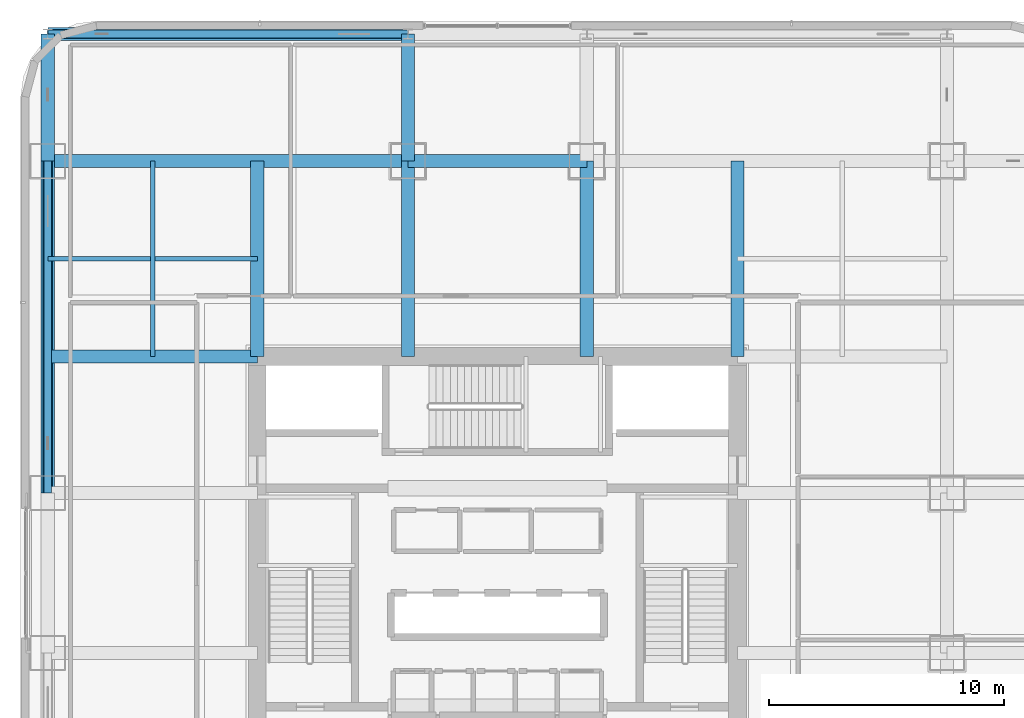
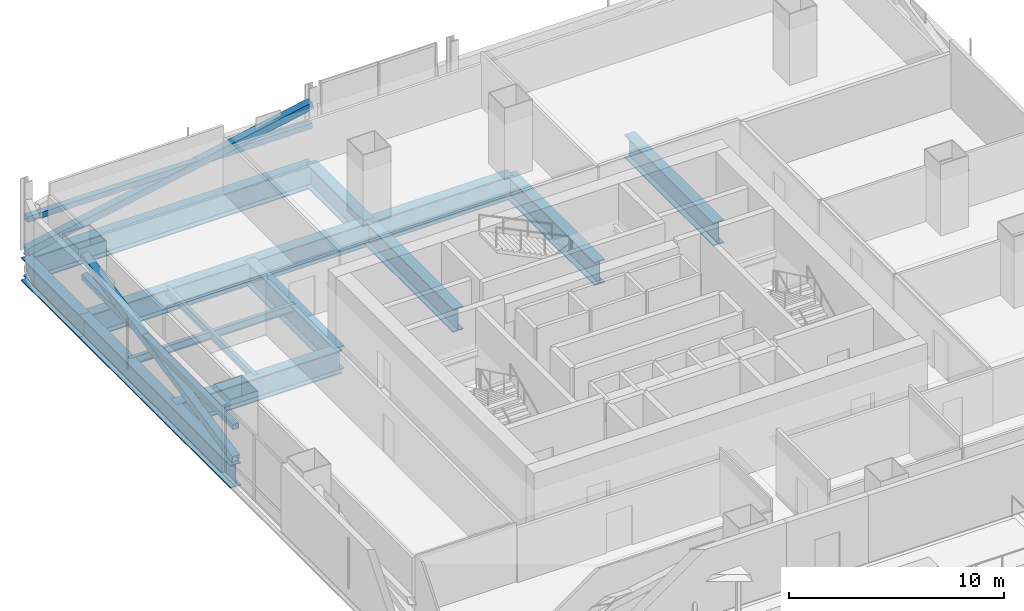
# One storey, part 5 of 28: 13 beams, 4 members.
"""IFC4 building model written with IfcOpenShell, lengths in metres."""

from ifc_helpers import new_model, si_unit, direction, frame, origin, origin_2d, place, context, subcontext, project, spatial, hollow_rectangle, i_section, extrude, material, material_profile, profile_set, type_object, element, save


model = new_model("IFC4")

# Units and contexts
model_context = context("Model", 3, precision=1e-05, world=origin(), true_north=direction((0.0, 1.0)))
body_context = subcontext(model_context, "Body", "Model", "MODEL_VIEW")
ifc_project = project(units=[si_unit("LENGTHUNIT", "METRE"), si_unit("AREAUNIT", "SQUARE_METRE"), si_unit("VOLUMEUNIT", "CUBIC_METRE"), si_unit("PLANEANGLEUNIT", "RADIAN"), si_unit("MASSUNIT", "GRAM", prefix="KILO")], contexts=[model_context])

# Site, building, storey
site_placement = place(None, origin())
site = spatial("IfcSite", under=ifc_project, at=site_placement, CompositionType="ELEMENT")
building_placement = place(site_placement, origin())
building = spatial("IfcBuilding", under=site, at=building_placement, Name="Punatoya Terracotta Tower", CompositionType="ELEMENT")
storey_placement = place(building_placement, frame((0.0, 0.0, 93.0)))
storey = spatial("IfcBuildingStorey", under=building, at=storey_placement, Name="L21", CompositionType="ELEMENT", Elevation=93.0)

# Beams
ifc_material_1 = material(Name="Steel S355", Category="steel")
ifc_material_profile_1 = material_profile(ifc_material_1, i_section(OverallWidth=0.18994140625, OverallDepth=0.449951171875, WebThickness=0.009521484375, FlangeThickness=0.0146484375, FilletRadius=0.01806640625, at=origin_2d()))
ifc_profile_set_1 = profile_set([ifc_material_profile_1], Name="Steel S355")
beam_type_1 = type_object("IfcBeamType", Name="BM-SEC-450", PredefinedType="JOIST", material=ifc_profile_set_1)
beam_1_placement = place(storey_placement, frame((-19.10009765625, 13.35009765625, -0.5048828125), z_axis=(1.0, 0.0, 0.0), x_axis=(0.0, 1.0, 0.0)))
element("IfcBeam", 1, at=beam_1_placement, inside=storey, type_object=beam_type_1, Name="BM-L21-SJN-1", PredefinedType="JOIST", context=body_context, shape_type="SweptSolid", body=[
    extrude(i_section(OverallWidth=0.18994140625, OverallDepth=0.449951171875, WebThickness=0.009521484375, FlangeThickness=0.0146484375, FilletRadius=0.01806640625, at=origin_2d()), origin(), (0.0, 0.0, 1.0), 8.900146484375),
])
beam_2_placement = place(storey_placement, frame((-14.64990234375, 9.199951171875, -0.5048828125), z_axis=(0.0, 1.0, 0.0), x_axis=(-1.0, 0.0, 0.0)))
element("IfcBeam", 2, at=beam_2_placement, inside=storey, type_object=beam_type_1, Name="BM-L21-SJW-2", PredefinedType="JOIST", context=body_context, shape_type="SweptSolid", body=[
    extrude(i_section(OverallWidth=0.18994140625, OverallDepth=0.449951171875, WebThickness=0.009521484375, FlangeThickness=0.0146484375, FilletRadius=0.01806640625, at=origin_2d()), origin(), (0.0, 0.0, 1.0), 8.300048828125),
])
ifc_material_2 = material(Name="Steel S460", Category="steel")
ifc_material_profile_2 = material_profile(ifc_material_2, i_section(OverallWidth=0.56005859375, OverallDepth=1.320068359375, WebThickness=0.035888671875, FlangeThickness=0.054931640625, FilletRadius=0.01806640625, at=origin_2d()))
ifc_profile_set_2 = profile_set([ifc_material_profile_2], Name="Steel S460")
beam_type_2 = type_object("IfcBeamType", Name="BM-TG-BLK", PredefinedType="BEAM", material=ifc_profile_set_2)
beam_3_placement = place(storey_placement, frame((-19.10009765625, 17.5, -0.93994140625), z_axis=(1.0, 0.0, 0.0), x_axis=(0.0, 1.0, 0.0)))
element("IfcBeam", 3, at=beam_3_placement, inside=storey, type_object=beam_type_2, Name="BM-L21-RG-N1", PredefinedType="BEAM", context=body_context, shape_type="SweptSolid", body=[
    extrude(i_section(OverallWidth=0.56005859375, OverallDepth=1.320068359375, WebThickness=0.035888671875, FlangeThickness=0.054931640625, FilletRadius=0.01806640625, at=origin_2d()), origin(), (0.0, 0.0, 1.0), 15.300048828125),
])
beam_4_placement = place(storey_placement, frame((-3.800048828125, 17.5, -0.93994140625), z_axis=(1.0, 0.0, 0.0), x_axis=(0.0, 1.0, 0.0)))
element("IfcBeam", 4, at=beam_4_placement, inside=storey, type_object=beam_type_2, Name="BM-L21-RG-N2", PredefinedType="BEAM", context=body_context, shape_type="SweptSolid", body=[
    extrude(i_section(OverallWidth=0.56005859375, OverallDepth=1.320068359375, WebThickness=0.035888671875, FlangeThickness=0.054931640625, FilletRadius=0.01806640625, at=origin_2d()), origin(), (0.0, 0.0, 1.0), 7.60009765625),
])
beam_5_placement = place(storey_placement, frame((-19.10009765625, 3.39990234375, -0.93994140625), z_axis=(0.0, 1.0, 0.0), x_axis=(-1.0, 0.0, 0.0)))
element("IfcBeam", 5, at=beam_5_placement, inside=storey, type_object=beam_type_2, Name="BM-L21-RG-W3", PredefinedType="BEAM", context=body_context, shape_type="SweptSolid", body=[
    extrude(i_section(OverallWidth=0.56005859375, OverallDepth=1.320068359375, WebThickness=0.035888671875, FlangeThickness=0.054931640625, FilletRadius=0.01806640625, at=origin_2d()), origin(), (0.0, 0.0, 1.0), 14.10009765625),
])
beam_6_placement = place(storey_placement, frame((-19.10009765625, 9.199951171875, -0.93994140625), z_axis=(1.0, 0.0, 0.0), x_axis=(0.0, 1.0, 0.0)))
element("IfcBeam", 6, at=beam_6_placement, inside=storey, type_object=beam_type_2, Name="BM-L21-PR-WN", PredefinedType="BEAM", context=body_context, shape_type="SweptSolid", body=[
    extrude(i_section(OverallWidth=0.56005859375, OverallDepth=1.320068359375, WebThickness=0.035888671875, FlangeThickness=0.054931640625, FilletRadius=0.01806640625, at=origin_2d()), origin(), (0.0, 0.0, 1.0), 8.900146484375),
])
for number, where, z_axis, x_axis, name in (
    (7, (-10.199951171875, 9.199951171875, -0.93994140625), (0.0, 1.0, 0.0), (-1.0, 0.0, 0.0), "BM-L21-PR-N1"),
    (8, (-3.800048828125, 9.199951171875, -0.93994140625), (0.0, 1.0, 0.0), (-1.0, 0.0, 0.0), "BM-L21-PR-N2"),
    (9, (3.800048828125, 9.199951171875, -0.93994140625), (0.0, 1.0, 0.0), (-1.0, 0.0, 0.0), "BM-L21-PR-N3"),
    (10, (10.199951171875, 9.199951171875, -0.93994140625), (0.0, 1.0, 0.0), (-1.0, 0.0, 0.0), "BM-L21-PR-N4"),
):
    element("IfcBeam", number, at=place(storey_placement, frame(where, z_axis=z_axis, x_axis=x_axis)), inside=storey, type_object=beam_type_2, Name=name, PredefinedType="BEAM", context=body_context, shape_type="SweptSolid", body=[
        extrude(i_section(OverallWidth=0.56005859375, OverallDepth=1.320068359375, WebThickness=0.035888671875, FlangeThickness=0.054931640625, FilletRadius=0.01806640625, at=origin_2d()), origin(), (0.0, 0.0, 1.0), 8.300048828125),
    ])
for number, where, z_axis, x_axis, name in (
    (11, (-19.10009765625, 17.5, -0.93994140625), (0.0, 1.0, 0.0), (-1.0, 0.0, 0.0), "BM-L21-CANT-N1"),
    (12, (-3.800048828125, 17.5, -0.93994140625), (0.0, 1.0, 0.0), (-1.0, 0.0, 0.0), "BM-L21-CANT-N2"),
):
    element("IfcBeam", number, at=place(storey_placement, frame(where, z_axis=z_axis, x_axis=x_axis)), inside=storey, type_object=beam_type_2, Name=name, PredefinedType="BEAM", context=body_context, shape_type="SweptSolid", body=[
        extrude(i_section(OverallWidth=0.56005859375, OverallDepth=1.320068359375, WebThickness=0.035888671875, FlangeThickness=0.054931640625, FilletRadius=0.01806640625, at=origin_2d()), origin(), (0.0, 0.0, 1.0), 5.39990234375),
    ])
beam_7_placement = place(storey_placement, frame((-19.10009765625, 22.89990234375, -0.93994140625), z_axis=(1.0, 0.0, 0.0), x_axis=(0.0, 1.0, 0.0)))
element("IfcBeam", 13, at=beam_7_placement, inside=storey, type_object=beam_type_2, Name="BM-L21-PER-N1", PredefinedType="BEAM", context=body_context, shape_type="SweptSolid", body=[
    extrude(i_section(OverallWidth=0.56005859375, OverallDepth=1.320068359375, WebThickness=0.035888671875, FlangeThickness=0.054931640625, FilletRadius=0.01806640625, at=origin_2d()), origin(), (0.0, 0.0, 1.0), 15.300048828125),
])

# Members
ifc_material_profile_3 = material_profile(ifc_material_2, hollow_rectangle(XDim=0.320068359375, YDim=0.320068359375, WallThickness=0.01806640625, at=origin_2d()))
ifc_profile_set_3 = profile_set([ifc_material_profile_3], Name="Steel S460")
member_type_1 = type_object("IfcMemberType", Name="MEM-CHD-320", PredefinedType="CHORD", material=ifc_profile_set_3)
member_1_placement = place(storey_placement, frame((-19.10009765625, 22.89990234375, 1.85009765625), z_axis=(1.0, 0.0, 0.0), x_axis=(0.0, 1.0, 0.0)))
element("IfcMember", 14, at=member_1_placement, inside=storey, type_object=member_type_1, Name="L21 Exoskeleton Belt Truss Tie Chord N1", PredefinedType="CHORD", context=body_context, shape_type="SweptSolid", body=[
    extrude(hollow_rectangle(XDim=0.320068359375, YDim=0.320068359375, WallThickness=0.01806640625, at=origin_2d()), origin(), (0.0, 0.0, 1.0), 15.300048828125),
])
member_2_placement = place(storey_placement, frame((-19.10009765625, 3.39990234375, 1.85009765625), z_axis=(0.0, 1.0, 0.0), x_axis=(-1.0, 0.0, 0.0)))
element("IfcMember", 15, at=member_2_placement, inside=storey, type_object=member_type_1, Name="L21 Exoskeleton Belt Truss Tie Chord W3", PredefinedType="CHORD", context=body_context, shape_type="SweptSolid", body=[
    extrude(hollow_rectangle(XDim=0.320068359375, YDim=0.320068359375, WallThickness=0.01806640625, at=origin_2d()), origin(), (0.0, 0.0, 1.0), 14.10009765625),
])
ifc_material_profile_4 = material_profile(ifc_material_2, hollow_rectangle(XDim=0.39990234375, YDim=0.39990234375, WallThickness=0.02197265625, at=origin_2d()))
ifc_profile_set_4 = profile_set([ifc_material_profile_4], Name="Steel S460")
member_type_2 = type_object("IfcMemberType", Name="MEM-EXO-400", PredefinedType="BRACE", material=ifc_profile_set_4)
member_3_placement = place(storey_placement, frame((-19.10009765625, 22.89990234375, 0.02001953125), z_axis=(0.981434908309, 0.0, 0.191795518072), x_axis=(0.0, 1.0, 0.0)))
element("IfcMember", 16, at=member_3_placement, inside=storey, type_object=member_type_2, Name="L21 Exoskeleton Belt Brace N1", PredefinedType="BRACE", context=body_context, shape_type="SweptSolid", body=[
    extrude(hollow_rectangle(XDim=0.39990234375, YDim=0.39990234375, WallThickness=0.02197265625, at=origin_2d()), origin(), (0.0, 0.0, 1.0), 15.58935546875),
])
member_4_placement = place(storey_placement, frame((-19.10009765625, 3.39990234375, 0.02001953125), z_axis=(0.0, 0.978247355132, 0.207441828415), x_axis=(-1.0, 0.0, 0.0)))
element("IfcMember", 17, at=member_4_placement, inside=storey, type_object=member_type_2, Name="L21 Exoskeleton Belt Brace W3", PredefinedType="BRACE", context=body_context, shape_type="SweptSolid", body=[
    extrude(hollow_rectangle(XDim=0.39990234375, YDim=0.39990234375, WallThickness=0.02197265625, at=origin_2d()), origin(), (0.0, 0.0, 1.0), 14.41357421875),
])

save(model, "model.ifc")
